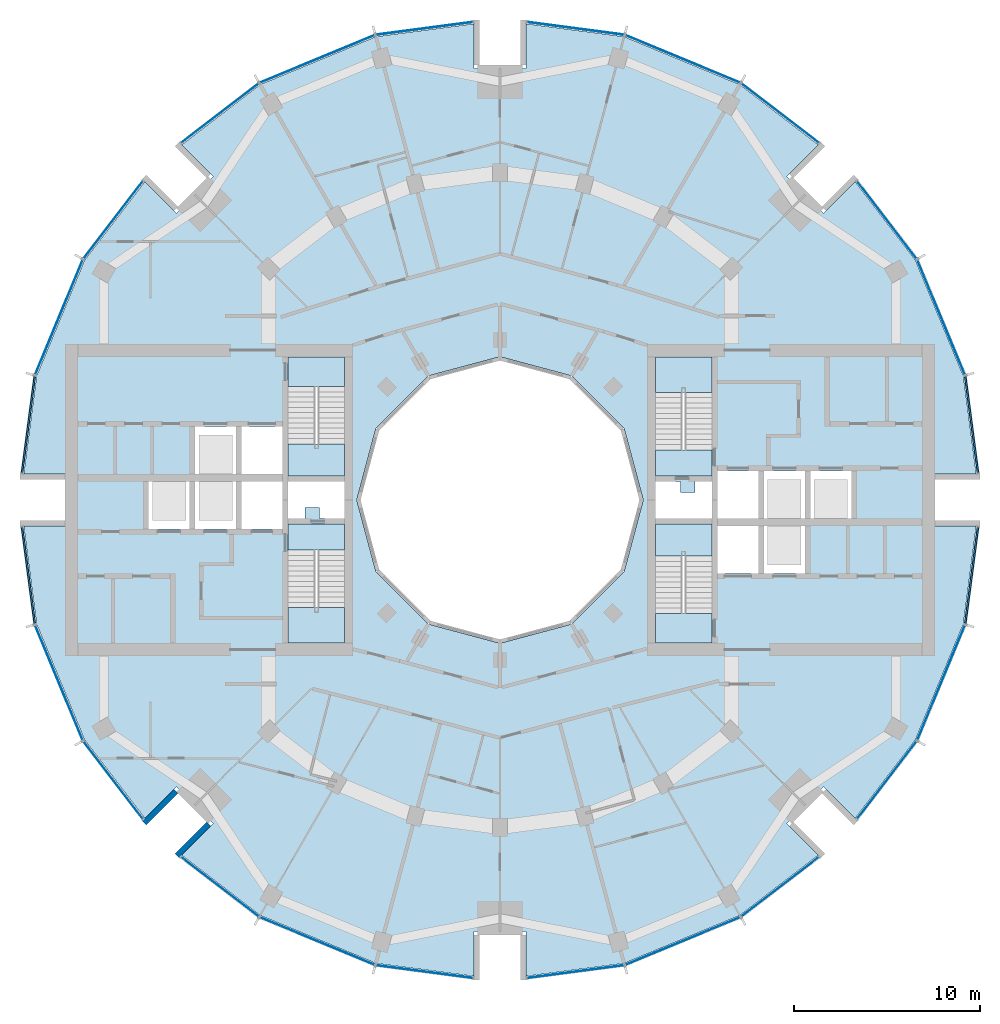
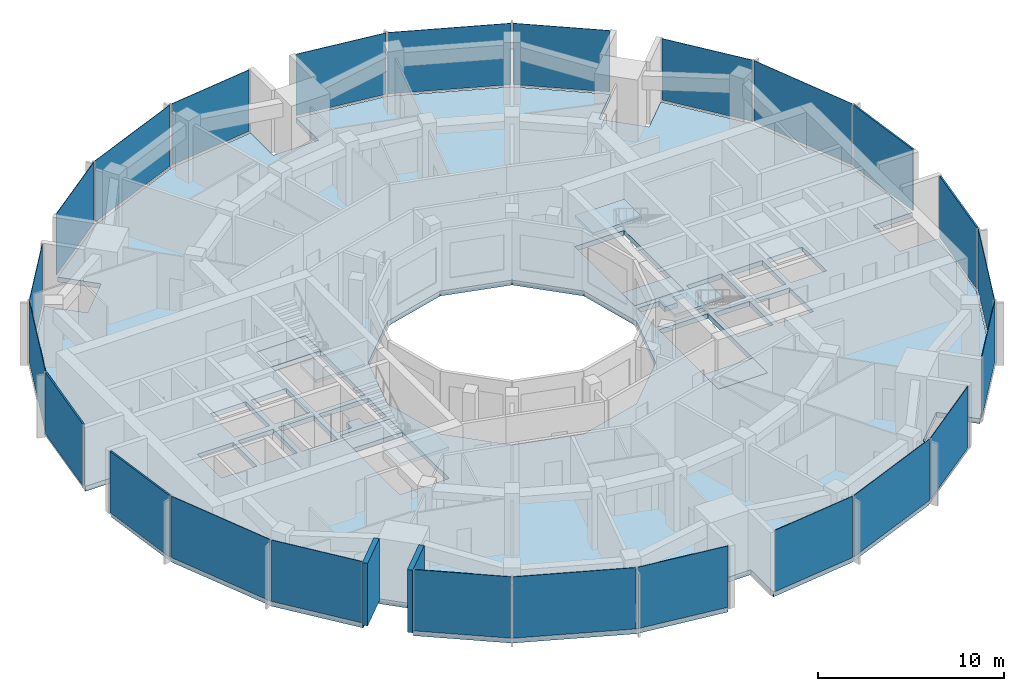
# One storey, part 7 of 15: 24 plates, 9 slabs, 2 walls, 28 elements without a shape of their own.
"""IFC4 building model written with IfcOpenShell, lengths in metres."""

from ifc_helpers import new_model, si_unit, direction, frame, frame_2d, origin, origin_2d, place, context, subcontext, project, spatial, polyline, rectangle, outline, extrude, material, layer, layer_set, type_object, element, aggregate, save


model = new_model("IFC4")

# Units and contexts
model_context = context("Model", 3, precision=1e-05, world=origin(), true_north=direction((0.0, 1.0)))
body_context = subcontext(model_context, "Body", "Model", "MODEL_VIEW")
ifc_project = project(units=[si_unit("LENGTHUNIT", "METRE"), si_unit("AREAUNIT", "SQUARE_METRE"), si_unit("VOLUMEUNIT", "CUBIC_METRE"), si_unit("PLANEANGLEUNIT", "RADIAN"), si_unit("MASSUNIT", "GRAM", prefix="KILO")], contexts=[model_context])

# Site, building, storey
site_placement = place(None, origin())
site = spatial("IfcSite", under=ifc_project, at=site_placement, CompositionType="ELEMENT")
building_placement = place(site_placement, origin())
building = spatial("IfcBuilding", under=site, at=building_placement, Name="Torre Brocal", CompositionType="ELEMENT")
storey_placement = place(building_placement, frame((0.0, 0.0, 182.300048828125)))
storey = spatial("IfcBuildingStorey", under=building, at=storey_placement, Name="L42", CompositionType="ELEMENT", Elevation=182.300048828125)

# Curtain wall, plate
ifc_material_1 = material(Name="Aluminium and glass", Category="aluminium")
ifc_layer_1 = layer(ifc_material_1, 0.199951171875)
ifc_layer_set_1 = layer_set([ifc_layer_1], Name="Aluminium and glass")
curtain_wall_type_1 = type_object("IfcCurtainWallType", Name="CW-1 CURTAIN WALL 4100 HIGH", PredefinedType="NOTDEFINED", material=ifc_layer_set_1)
curtain_wall_1_placement = place(storey_placement, origin())
curtain_wall_1 = element("IfcCurtainWall", 1, at=curtain_wall_1_placement, inside=storey, type_object=curtain_wall_type_1, Name="CW-1 RUN 2", PredefinedType="NOTDEFINED")
ifc_material_2 = material(Name="Glass, dark tinted laminated", Category="glass")
ifc_layer_2 = layer(ifc_material_2, 0.031982421875)
ifc_layer_set_2 = layer_set([ifc_layer_2], Name="Glass, dark tinted laminated")
plate_type_1 = type_object("IfcPlateType", Name="CW-1 GLASS PANEL 32", PredefinedType="CURTAIN_PANEL", material=ifc_layer_set_2)
plate_1_placement = place(storey_placement, frame((103.722900390625, 84.826416015625, 0.079833984375), z_axis=(0.0, 0.0, 1.0), x_axis=(-0.382683432333, 0.923879532525, 0.0)))
plate_1 = element("IfcPlate", 2, at=plate_1_placement, type_object=plate_type_1, Name="CW1-4 panel 1.1", PredefinedType="CURTAIN_PANEL", context=body_context, shape_type="SweptSolid", body=[
    extrude(rectangle(XDim=6.64111328125, YDim=0.031982421875, at=origin_2d()), origin(), (0.0, 0.0, 1.0), 4.02001953125),
])
aggregate(curtain_wall_1, [plate_1])

curtain_wall_2_placement = place(storey_placement, origin())
curtain_wall_2 = element("IfcCurtainWall", 3, at=curtain_wall_2_placement, inside=storey, type_object=curtain_wall_type_1, Name="CW-1 RUN 3", PredefinedType="NOTDEFINED")
plate_2_placement = place(storey_placement, frame((100.80126953125, 90.0712890625, 0.079833984375), z_axis=(0.0, 0.0, 1.0), x_axis=(-0.60876142905, 0.793353340259, 0.0)))
plate_2 = element("IfcPlate", 4, at=plate_2_placement, type_object=plate_type_1, Name="CW1-4 panel 1.1", PredefinedType="CURTAIN_PANEL", context=body_context, shape_type="SweptSolid", body=[
    extrude(rectangle(XDim=5.22900390625, YDim=0.031982421875, at=origin_2d()), origin(), (0.0, 0.0, 1.0), 4.02001953125),
])
aggregate(curtain_wall_2, [plate_2])

curtain_wall_3_placement = place(storey_placement, origin())
curtain_wall_3 = element("IfcCurtainWall", 5, at=curtain_wall_3_placement, inside=storey, type_object=curtain_wall_type_1, Name="CW-1 RUN 4", PredefinedType="NOTDEFINED")
plate_3_placement = place(storey_placement, frame((95.0712890625, 95.80126953125, 0.079833984375), z_axis=(0.0, 0.0, 1.0), x_axis=(-0.793353340259, 0.60876142905, 0.0)))
plate_3 = element("IfcPlate", 6, at=plate_3_placement, type_object=plate_type_1, Name="CW1-4 panel 1.1", PredefinedType="CURTAIN_PANEL", context=body_context, shape_type="SweptSolid", body=[
    extrude(rectangle(XDim=5.22900390625, YDim=0.031982421875, at=origin_2d()), origin(), (0.0, 0.0, 1.0), 4.02001953125),
])
aggregate(curtain_wall_3, [plate_3])

curtain_wall_4_placement = place(storey_placement, origin())
curtain_wall_4 = element("IfcCurtainWall", 7, at=curtain_wall_4_placement, inside=storey, type_object=curtain_wall_type_1, Name="CW-1 RUN 5", PredefinedType="NOTDEFINED")
plate_4_placement = place(storey_placement, frame((89.826416015625, 98.722900390625, 0.079833984375), z_axis=(0.0, 0.0, 1.0), x_axis=(-0.923879532525, 0.382683432333, 0.0)))
plate_4 = element("IfcPlate", 8, at=plate_4_placement, type_object=plate_type_1, Name="CW1-4 panel 1.1", PredefinedType="CURTAIN_PANEL", context=body_context, shape_type="SweptSolid", body=[
    extrude(rectangle(XDim=6.64111328125, YDim=0.031982421875, at=origin_2d()), origin(), (0.0, 0.0, 1.0), 4.02001953125),
])
aggregate(curtain_wall_4, [plate_4])

curtain_wall_5_placement = place(storey_placement, origin())
curtain_wall_5 = element("IfcCurtainWall", 9, at=curtain_wall_5_placement, inside=storey, type_object=curtain_wall_type_1, Name="CW-1 RUN 6", PredefinedType="NOTDEFINED")
plate_5_placement = place(storey_placement, frame((84.051513671875, 100.36572265625, 0.079833984375), z_axis=(0.0, 0.0, 1.0), x_axis=(-0.991444861374, 0.13052619222, 0.0)))
plate_5 = element("IfcPlate", 10, at=plate_5_placement, type_object=plate_type_1, Name="CW1-4 panel 1.1", PredefinedType="CURTAIN_PANEL", context=body_context, shape_type="SweptSolid", body=[
    extrude(rectangle(XDim=5.22900390625, YDim=0.031982421875, at=origin_2d()), origin(), (0.0, 0.0, 1.0), 4.02001953125),
])
aggregate(curtain_wall_5, [plate_5])

curtain_wall_6_placement = place(storey_placement, origin())
curtain_wall_6 = element("IfcCurtainWall", 11, at=curtain_wall_6_placement, inside=storey, type_object=curtain_wall_type_1, Name="CW-1 RUN 7", PredefinedType="NOTDEFINED")
plate_6_placement = place(storey_placement, frame((75.948486328125, 100.36572265625, 0.079833984375), z_axis=(0.0, 0.0, 1.0), x_axis=(-0.991444861374, -0.13052619222, 0.0)))
plate_6 = element("IfcPlate", 12, at=plate_6_placement, type_object=plate_type_1, Name="CW1-4 panel 1.1", PredefinedType="CURTAIN_PANEL", context=body_context, shape_type="SweptSolid", body=[
    extrude(rectangle(XDim=5.22900390625, YDim=0.031982421875, at=origin_2d()), origin(), (0.0, 0.0, 1.0), 4.02001953125),
])
aggregate(curtain_wall_6, [plate_6])

curtain_wall_7_placement = place(storey_placement, origin())
curtain_wall_7 = element("IfcCurtainWall", 13, at=curtain_wall_7_placement, inside=storey, type_object=curtain_wall_type_1, Name="CW-1 RUN 8", PredefinedType="NOTDEFINED")
plate_7_placement = place(storey_placement, frame((70.173583984375, 98.722900390625, 0.079833984375), z_axis=(0.0, 0.0, 1.0), x_axis=(-0.923879532525, -0.382683432333, 0.0)))
plate_7 = element("IfcPlate", 14, at=plate_7_placement, type_object=plate_type_1, Name="CW1-4 panel 1.1", PredefinedType="CURTAIN_PANEL", context=body_context, shape_type="SweptSolid", body=[
    extrude(rectangle(XDim=6.64111328125, YDim=0.031982421875, at=origin_2d()), origin(), (0.0, 0.0, 1.0), 4.02001953125),
])
aggregate(curtain_wall_7, [plate_7])

curtain_wall_8_placement = place(storey_placement, origin())
curtain_wall_8 = element("IfcCurtainWall", 15, at=curtain_wall_8_placement, inside=storey, type_object=curtain_wall_type_1, Name="CW-1 RUN 9", PredefinedType="NOTDEFINED")
plate_8_placement = place(storey_placement, frame((64.9287109375, 95.80126953125, 0.079833984375), z_axis=(0.0, 0.0, 1.0), x_axis=(-0.793353340259, -0.60876142905, 0.0)))
plate_8 = element("IfcPlate", 16, at=plate_8_placement, type_object=plate_type_1, Name="CW1-4 panel 1.1", PredefinedType="CURTAIN_PANEL", context=body_context, shape_type="SweptSolid", body=[
    extrude(rectangle(XDim=5.22900390625, YDim=0.031982421875, at=origin_2d()), origin(), (0.0, 0.0, 1.0), 4.02001953125),
])
aggregate(curtain_wall_8, [plate_8])

curtain_wall_9_placement = place(storey_placement, origin())
curtain_wall_9 = element("IfcCurtainWall", 17, at=curtain_wall_9_placement, inside=storey, type_object=curtain_wall_type_1, Name="CW-1 RUN 10", PredefinedType="NOTDEFINED")
plate_9_placement = place(storey_placement, frame((59.19873046875, 90.0712890625, 0.079833984375), z_axis=(0.0, 0.0, 1.0), x_axis=(-0.60876142905, -0.793353340259, 0.0)))
plate_9 = element("IfcPlate", 18, at=plate_9_placement, type_object=plate_type_1, Name="CW1-4 panel 1.1", PredefinedType="CURTAIN_PANEL", context=body_context, shape_type="SweptSolid", body=[
    extrude(rectangle(XDim=5.22900390625, YDim=0.031982421875, at=origin_2d()), origin(), (0.0, 0.0, 1.0), 4.02001953125),
])
aggregate(curtain_wall_9, [plate_9])

curtain_wall_10_placement = place(storey_placement, origin())
curtain_wall_10 = element("IfcCurtainWall", 19, at=curtain_wall_10_placement, inside=storey, type_object=curtain_wall_type_1, Name="CW-1 RUN 11", PredefinedType="NOTDEFINED")
plate_10_placement = place(storey_placement, frame((56.277099609375, 84.826416015625, 0.079833984375), z_axis=(0.0, 0.0, 1.0), x_axis=(-0.382683432333, -0.923879532525, 0.0)))
plate_10 = element("IfcPlate", 20, at=plate_10_placement, type_object=plate_type_1, Name="CW1-4 panel 1.1", PredefinedType="CURTAIN_PANEL", context=body_context, shape_type="SweptSolid", body=[
    extrude(rectangle(XDim=6.64111328125, YDim=0.031982421875, at=origin_2d()), origin(), (0.0, 0.0, 1.0), 4.02001953125),
])
aggregate(curtain_wall_10, [plate_10])

curtain_wall_11_placement = place(storey_placement, origin())
curtain_wall_11 = element("IfcCurtainWall", 21, at=curtain_wall_11_placement, inside=storey, type_object=curtain_wall_type_1, Name="CW-1 RUN 14", PredefinedType="NOTDEFINED")
plate_11_placement = place(storey_placement, frame((56.277099609375, 65.173583984375, 0.079833984375), z_axis=(0.0, 0.0, 1.0), x_axis=(0.382683432333, -0.923879532525, 0.0)))
plate_11 = element("IfcPlate", 22, at=plate_11_placement, type_object=plate_type_1, Name="CW1-4 panel 1.1", PredefinedType="CURTAIN_PANEL", context=body_context, shape_type="SweptSolid", body=[
    extrude(rectangle(XDim=6.64111328125, YDim=0.031982421875, at=origin_2d()), origin(), (0.0, 0.0, 1.0), 4.02001953125),
])
aggregate(curtain_wall_11, [plate_11])

curtain_wall_12_placement = place(storey_placement, origin())
curtain_wall_12 = element("IfcCurtainWall", 23, at=curtain_wall_12_placement, inside=storey, type_object=curtain_wall_type_1, Name="CW-1 RUN 15", PredefinedType="NOTDEFINED")
plate_12_placement = place(storey_placement, frame((59.19873046875, 59.9287109375, 0.079833984375), z_axis=(0.0, 0.0, 1.0), x_axis=(0.60876142905, -0.793353340259, 0.0)))
plate_12 = element("IfcPlate", 24, at=plate_12_placement, type_object=plate_type_1, Name="CW1-4 panel 1.1", PredefinedType="CURTAIN_PANEL", context=body_context, shape_type="SweptSolid", body=[
    extrude(rectangle(XDim=5.22900390625, YDim=0.031982421875, at=origin_2d()), origin(), (0.0, 0.0, 1.0), 4.02001953125),
])
aggregate(curtain_wall_12, [plate_12])

curtain_wall_13_placement = place(storey_placement, origin())
curtain_wall_13 = element("IfcCurtainWall", 25, at=curtain_wall_13_placement, inside=storey, type_object=curtain_wall_type_1, Name="CW-1 RUN 16", PredefinedType="NOTDEFINED")
plate_13_placement = place(storey_placement, frame((64.9287109375, 54.19873046875, 0.079833984375), z_axis=(0.0, 0.0, 1.0), x_axis=(0.793353340259, -0.60876142905, 0.0)))
plate_13 = element("IfcPlate", 26, at=plate_13_placement, type_object=plate_type_1, Name="CW1-4 panel 1.1", PredefinedType="CURTAIN_PANEL", context=body_context, shape_type="SweptSolid", body=[
    extrude(rectangle(XDim=5.22900390625, YDim=0.031982421875, at=origin_2d()), origin(), (0.0, 0.0, 1.0), 4.02001953125),
])
aggregate(curtain_wall_13, [plate_13])

curtain_wall_14_placement = place(storey_placement, origin())
curtain_wall_14 = element("IfcCurtainWall", 27, at=curtain_wall_14_placement, inside=storey, type_object=curtain_wall_type_1, Name="CW-1 RUN 17", PredefinedType="NOTDEFINED")
plate_14_placement = place(storey_placement, frame((70.173583984375, 51.277099609375, 0.079833984375), z_axis=(0.0, 0.0, 1.0), x_axis=(0.923879532525, -0.382683432333, 0.0)))
plate_14 = element("IfcPlate", 28, at=plate_14_placement, type_object=plate_type_1, Name="CW1-4 panel 1.1", PredefinedType="CURTAIN_PANEL", context=body_context, shape_type="SweptSolid", body=[
    extrude(rectangle(XDim=6.64111328125, YDim=0.031982421875, at=origin_2d()), origin(), (0.0, 0.0, 1.0), 4.02001953125),
])
aggregate(curtain_wall_14, [plate_14])

curtain_wall_15_placement = place(storey_placement, origin())
curtain_wall_15 = element("IfcCurtainWall", 29, at=curtain_wall_15_placement, inside=storey, type_object=curtain_wall_type_1, Name="CW-1 RUN 18", PredefinedType="NOTDEFINED")
plate_15_placement = place(storey_placement, frame((75.948486328125, 49.63427734375, 0.079833984375), z_axis=(0.0, 0.0, 1.0), x_axis=(0.991444861374, -0.13052619222, 0.0)))
plate_15 = element("IfcPlate", 30, at=plate_15_placement, type_object=plate_type_1, Name="CW1-4 panel 1.1", PredefinedType="CURTAIN_PANEL", context=body_context, shape_type="SweptSolid", body=[
    extrude(rectangle(XDim=5.22900390625, YDim=0.031982421875, at=origin_2d()), origin(), (0.0, 0.0, 1.0), 4.02001953125),
])
aggregate(curtain_wall_15, [plate_15])

curtain_wall_16_placement = place(storey_placement, origin())
curtain_wall_16 = element("IfcCurtainWall", 31, at=curtain_wall_16_placement, inside=storey, type_object=curtain_wall_type_1, Name="CW-1 RUN 19", PredefinedType="NOTDEFINED")
plate_16_placement = place(storey_placement, frame((84.051513671875, 49.63427734375, 0.079833984375), z_axis=(0.0, 0.0, 1.0), x_axis=(0.991444861374, 0.13052619222, 0.0)))
plate_16 = element("IfcPlate", 32, at=plate_16_placement, type_object=plate_type_1, Name="CW1-4 panel 1.1", PredefinedType="CURTAIN_PANEL", context=body_context, shape_type="SweptSolid", body=[
    extrude(rectangle(XDim=5.22900390625, YDim=0.031982421875, at=origin_2d()), origin(), (0.0, 0.0, 1.0), 4.02001953125),
])
aggregate(curtain_wall_16, [plate_16])

curtain_wall_17_placement = place(storey_placement, origin())
curtain_wall_17 = element("IfcCurtainWall", 33, at=curtain_wall_17_placement, inside=storey, type_object=curtain_wall_type_1, Name="CW-1 RUN 20", PredefinedType="NOTDEFINED")
plate_17_placement = place(storey_placement, frame((89.826416015625, 51.277099609375, 0.079833984375), z_axis=(0.0, 0.0, 1.0), x_axis=(0.923879532525, 0.382683432333, 0.0)))
plate_17 = element("IfcPlate", 34, at=plate_17_placement, type_object=plate_type_1, Name="CW1-4 panel 1.1", PredefinedType="CURTAIN_PANEL", context=body_context, shape_type="SweptSolid", body=[
    extrude(rectangle(XDim=6.64111328125, YDim=0.031982421875, at=origin_2d()), origin(), (0.0, 0.0, 1.0), 4.02001953125),
])
aggregate(curtain_wall_17, [plate_17])

curtain_wall_18_placement = place(storey_placement, origin())
curtain_wall_18 = element("IfcCurtainWall", 35, at=curtain_wall_18_placement, inside=storey, type_object=curtain_wall_type_1, Name="CW-1 RUN 21", PredefinedType="NOTDEFINED")
plate_18_placement = place(storey_placement, frame((95.0712890625, 54.19873046875, 0.079833984375), z_axis=(0.0, 0.0, 1.0), x_axis=(0.793353340259, 0.60876142905, 0.0)))
plate_18 = element("IfcPlate", 36, at=plate_18_placement, type_object=plate_type_1, Name="CW1-4 panel 1.1", PredefinedType="CURTAIN_PANEL", context=body_context, shape_type="SweptSolid", body=[
    extrude(rectangle(XDim=5.22900390625, YDim=0.031982421875, at=origin_2d()), origin(), (0.0, 0.0, 1.0), 4.02001953125),
])
aggregate(curtain_wall_18, [plate_18])

curtain_wall_19_placement = place(storey_placement, origin())
curtain_wall_19 = element("IfcCurtainWall", 37, at=curtain_wall_19_placement, inside=storey, type_object=curtain_wall_type_1, Name="CW-1 RUN 22", PredefinedType="NOTDEFINED")
plate_19_placement = place(storey_placement, frame((100.80126953125, 59.9287109375, 0.079833984375), z_axis=(0.0, 0.0, 1.0), x_axis=(0.60876142905, 0.793353340259, 0.0)))
plate_19 = element("IfcPlate", 38, at=plate_19_placement, type_object=plate_type_1, Name="CW1-4 panel 1.1", PredefinedType="CURTAIN_PANEL", context=body_context, shape_type="SweptSolid", body=[
    extrude(rectangle(XDim=5.22900390625, YDim=0.031982421875, at=origin_2d()), origin(), (0.0, 0.0, 1.0), 4.02001953125),
])
aggregate(curtain_wall_19, [plate_19])

curtain_wall_20_placement = place(storey_placement, origin())
curtain_wall_20 = element("IfcCurtainWall", 39, at=curtain_wall_20_placement, inside=storey, type_object=curtain_wall_type_1, Name="CW-1 RUN 23", PredefinedType="NOTDEFINED")
plate_20_placement = place(storey_placement, frame((103.722900390625, 65.173583984375, 0.079833984375), z_axis=(0.0, 0.0, 1.0), x_axis=(0.382683432333, 0.923879532525, 0.0)))
plate_20 = element("IfcPlate", 40, at=plate_20_placement, type_object=plate_type_1, Name="CW1-4 panel 1.1", PredefinedType="CURTAIN_PANEL", context=body_context, shape_type="SweptSolid", body=[
    extrude(rectangle(XDim=6.64111328125, YDim=0.031982421875, at=origin_2d()), origin(), (0.0, 0.0, 1.0), 4.02001953125),
])
aggregate(curtain_wall_20, [plate_20])

ifc_material_3 = material(Name="Aluminium and glass", Category="aluminium")
ifc_layer_3 = layer(ifc_material_3, 0.199951171875)
ifc_layer_set_3 = layer_set([ifc_layer_3], Name="Aluminium and glass")
curtain_wall_type_2 = type_object("IfcCurtainWallType", Name="CW-1B CURTAIN WALL 4100 HIGH", PredefinedType="NOTDEFINED", material=ifc_layer_set_3)
curtain_wall_21_placement = place(storey_placement, origin())
curtain_wall_21 = element("IfcCurtainWall", 41, at=curtain_wall_21_placement, inside=storey, type_object=curtain_wall_type_2, Name="CW-1B RUN 1", PredefinedType="NOTDEFINED")
ifc_material_4 = material(Name="Aluminium composite panel", Category="aluminium")
ifc_layer_4 = layer(ifc_material_4, 0.10009765625)
ifc_layer_set_4 = layer_set([ifc_layer_4], Name="Aluminium composite panel")
plate_type_2 = type_object("IfcPlateType", Name="CW-1B OPAQUE PANEL 100", PredefinedType="CURTAIN_PANEL", material=ifc_layer_set_4)
plate_21_placement = place(storey_placement, frame((105.36572265625, 79.051513671875, 0.079833984375), z_axis=(0.0, 0.0, 1.0), x_axis=(-0.13052619222, 0.991444861374, 0.0)))
plate_21 = element("IfcPlate", 42, at=plate_21_placement, type_object=plate_type_2, Name="CW1B-4 panel 1.1", PredefinedType="CURTAIN_PANEL", context=body_context, shape_type="SweptSolid", body=[
    extrude(rectangle(XDim=5.22900390625, YDim=0.10009765625, at=origin_2d()), origin(), (0.0, 0.0, 1.0), 4.02001953125),
])
aggregate(curtain_wall_21, [plate_21])

curtain_wall_22_placement = place(storey_placement, origin())
curtain_wall_22 = element("IfcCurtainWall", 43, at=curtain_wall_22_placement, inside=storey, type_object=curtain_wall_type_2, Name="CW-1B RUN 12", PredefinedType="NOTDEFINED")
plate_22_placement = place(storey_placement, frame((54.63427734375, 79.051513671875, 0.079833984375), z_axis=(0.0, 0.0, 1.0), x_axis=(-0.13052619222, -0.991444861374, 0.0)))
plate_22 = element("IfcPlate", 44, at=plate_22_placement, type_object=plate_type_2, Name="CW1B-4 panel 1.1", PredefinedType="CURTAIN_PANEL", context=body_context, shape_type="SweptSolid", body=[
    extrude(rectangle(XDim=5.22900390625, YDim=0.10009765625, at=origin_2d()), origin(), (0.0, 0.0, 1.0), 4.02001953125),
])
aggregate(curtain_wall_22, [plate_22])

curtain_wall_23_placement = place(storey_placement, origin())
curtain_wall_23 = element("IfcCurtainWall", 45, at=curtain_wall_23_placement, inside=storey, type_object=curtain_wall_type_2, Name="CW-1B RUN 13", PredefinedType="NOTDEFINED")
plate_23_placement = place(storey_placement, frame((54.63427734375, 70.948486328125, 0.079833984375), z_axis=(0.0, 0.0, 1.0), x_axis=(0.13052619222, -0.991444861374, 0.0)))
plate_23 = element("IfcPlate", 46, at=plate_23_placement, type_object=plate_type_2, Name="CW1B-4 panel 1.1", PredefinedType="CURTAIN_PANEL", context=body_context, shape_type="SweptSolid", body=[
    extrude(rectangle(XDim=5.22900390625, YDim=0.10009765625, at=origin_2d()), origin(), (0.0, 0.0, 1.0), 4.02001953125),
])
aggregate(curtain_wall_23, [plate_23])

curtain_wall_24_placement = place(storey_placement, origin())
curtain_wall_24 = element("IfcCurtainWall", 47, at=curtain_wall_24_placement, inside=storey, type_object=curtain_wall_type_2, Name="CW-1B RUN 24", PredefinedType="NOTDEFINED")
plate_24_placement = place(storey_placement, frame((105.36572265625, 70.948486328125, 0.079833984375), z_axis=(0.0, 0.0, 1.0), x_axis=(0.13052619222, 0.991444861374, 0.0)))
plate_24 = element("IfcPlate", 48, at=plate_24_placement, type_object=plate_type_2, Name="CW1B-4 panel 1.1", PredefinedType="CURTAIN_PANEL", context=body_context, shape_type="SweptSolid", body=[
    extrude(rectangle(XDim=5.22900390625, YDim=0.10009765625, at=origin_2d()), origin(), (0.0, 0.0, 1.0), 4.02001953125),
])
aggregate(curtain_wall_24, [plate_24])

# Stair, slab
ifc_material_5 = material(Name="Concrete C50", Category="concrete")
stair_type = type_object("IfcStairType", Name="EXIT STAIR", PredefinedType="HALF_TURN_STAIR", material=ifc_material_5)
stair_1_placement = place(storey_placement, origin())
stair_1 = element("IfcStair", 49, at=stair_1_placement, inside=storey, type_object=stair_type, Name="EXIT STAIR ST1", PredefinedType="HALF_TURN_STAIR")
ifc_material_6 = material(Name="Concrete C50", Category="concrete")
ifc_layer_5 = layer(ifc_material_6, 0.320068359375)
ifc_layer_set_5 = layer_set([ifc_layer_5], Name="Concrete C50")
slab_type_1 = type_object("IfcSlabType", Name="FLOOR LANDING 320", PredefinedType="LANDING", material=ifc_layer_set_5)
slab_1_placement = place(storey_placement, frame((0.0, 0.0, -0.320068359375)))
slab_1 = element("IfcSlab", 50, at=slab_1_placement, type_object=slab_type_1, Name="ST1 landing 1", PredefinedType="LANDING", context=body_context, shape_type="SweptSolid", body=[
    extrude(outline(polyline([(88.35009765625, 76.300048828125), (91.39990234375, 76.300048828125), (91.39990234375, 77.699951171875), (88.35009765625, 77.699951171875), (88.35009765625, 76.300048828125)])), origin(), (0.0, 0.0, 1.0), 0.320068359375),
])

stair_2_placement = place(storey_placement, origin())
stair_2 = element("IfcStair", 51, at=stair_2_placement, inside=storey, type_object=stair_type, Name="EXIT STAIR ST2", PredefinedType="HALF_TURN_STAIR")
slab_2_placement = place(storey_placement, frame((0.0, 0.0, -0.320068359375)))
slab_2 = element("IfcSlab", 52, at=slab_2_placement, type_object=slab_type_1, Name="ST2 landing 1", PredefinedType="LANDING", context=body_context, shape_type="SweptSolid", body=[
    extrude(outline(polyline([(88.35009765625, 67.300048828125), (91.39990234375, 67.300048828125), (91.39990234375, 68.89990234375), (88.35009765625, 68.89990234375), (88.35009765625, 67.300048828125)])), origin(), (0.0, 0.0, 1.0), 0.320068359375),
])

stair_3_placement = place(storey_placement, origin())
stair_3 = element("IfcStair", 53, at=stair_3_placement, inside=storey, type_object=stair_type, Name="EXIT STAIR ST3", PredefinedType="HALF_TURN_STAIR")
slab_3_placement = place(storey_placement, frame((0.0, 0.0, -0.320068359375)))
slab_3 = element("IfcSlab", 54, at=slab_3_placement, type_object=slab_type_1, Name="ST3 landing 1", PredefinedType="LANDING", context=body_context, shape_type="SweptSolid", body=[
    extrude(outline(polyline([(71.64990234375, 73.699951171875), (68.60009765625, 73.699951171875), (68.60009765625, 72.300048828125), (71.64990234375, 72.300048828125), (71.64990234375, 73.699951171875)])), origin(), (0.0, 0.0, 1.0), 0.320068359375),
])

stair_4_placement = place(storey_placement, origin())
stair_4 = element("IfcStair", 55, at=stair_4_placement, inside=storey, type_object=stair_type, Name="EXIT STAIR ST4", PredefinedType="HALF_TURN_STAIR")
slab_4_placement = place(storey_placement, frame((0.0, 0.0, -0.320068359375)))
slab_4 = element("IfcSlab", 56, at=slab_4_placement, type_object=slab_type_1, Name="ST4 landing 1", PredefinedType="LANDING", context=body_context, shape_type="SweptSolid", body=[
    extrude(outline(polyline([(71.64990234375, 82.699951171875), (68.60009765625, 82.699951171875), (68.60009765625, 81.10009765625), (71.64990234375, 81.10009765625), (71.64990234375, 82.699951171875)])), origin(), (0.0, 0.0, 1.0), 0.320068359375),
])

# Slab
ifc_material_7 = material(Name="Concrete C50", Category="concrete")
ifc_layer_6 = layer(ifc_material_7, 0.199951171875)
ifc_layer_set_6 = layer_set([ifc_layer_6], Name="Concrete C50")
slab_type_2 = type_object("IfcSlabType", Name="MID LANDING +2050", PredefinedType="LANDING", material=ifc_layer_set_6)
slab_5_placement = place(storey_placement, frame((0.0, 0.0, 1.849853515625)))
slab_5 = element("IfcSlab", 57, at=slab_5_placement, type_object=slab_type_2, Name="ST1 landing 2", PredefinedType="LANDING", context=body_context, shape_type="SweptSolid", body=[
    extrude(outline(polyline([(88.35009765625, 80.780029296875), (91.39990234375, 80.780029296875), (91.39990234375, 82.699951171875), (88.35009765625, 82.699951171875), (88.35009765625, 80.780029296875)])), origin(), (0.0, 0.0, 1.0), 0.2001953125),
])

aggregate(stair_1, [slab_1, slab_5])

slab_6_placement = place(storey_placement, frame((0.0, 0.0, 1.849853515625)))
slab_6 = element("IfcSlab", 58, at=slab_6_placement, type_object=slab_type_2, Name="ST2 landing 2", PredefinedType="LANDING", context=body_context, shape_type="SweptSolid", body=[
    extrude(outline(polyline([(88.35009765625, 71.97998046875), (91.39990234375, 71.97998046875), (91.39990234375, 73.699951171875), (88.35009765625, 73.699951171875), (88.35009765625, 71.97998046875)])), origin(), (0.0, 0.0, 1.0), 0.2001953125),
])

aggregate(stair_2, [slab_2, slab_6])

slab_7_placement = place(storey_placement, frame((0.0, 0.0, 1.849853515625)))
slab_7 = element("IfcSlab", 59, at=slab_7_placement, type_object=slab_type_2, Name="ST3 landing 2", PredefinedType="LANDING", context=body_context, shape_type="SweptSolid", body=[
    extrude(outline(polyline([(71.64990234375, 69.219970703125), (68.60009765625, 69.219970703125), (68.60009765625, 67.300048828125), (71.64990234375, 67.300048828125), (71.64990234375, 69.219970703125)])), origin(), (0.0, 0.0, 1.0), 0.2001953125),
])

aggregate(stair_3, [slab_3, slab_7])

slab_8_placement = place(storey_placement, frame((0.0, 0.0, 1.849853515625)))
slab_8 = element("IfcSlab", 60, at=slab_8_placement, type_object=slab_type_2, Name="ST4 landing 2", PredefinedType="LANDING", context=body_context, shape_type="SweptSolid", body=[
    extrude(outline(polyline([(71.64990234375, 78.02001953125), (68.60009765625, 78.02001953125), (68.60009765625, 76.300048828125), (71.64990234375, 76.300048828125), (71.64990234375, 78.02001953125)])), origin(), (0.0, 0.0, 1.0), 0.2001953125),
])

aggregate(stair_4, [slab_4, slab_8])

ifc_material_8 = material(Name="Concrete C45", Category="concrete")
ifc_layer_7 = layer(ifc_material_8, 0.320068359375)
ifc_layer_set_7 = layer_set([ifc_layer_7], Name="Concrete C45")
slab_type_3 = type_object("IfcSlabType", Name="PT FLOOR SLAB 320 C45", PredefinedType="FLOOR", material=ifc_layer_set_7)
slab_9_placement = place(storey_placement, frame((0.0, 0.0, -0.320068359375)))
element("IfcSlab", 61, at=slab_9_placement, inside=storey, type_object=slab_type_3, Name="Slab ST-05", PredefinedType="FLOOR", context=body_context, shape_type="SweptSolid", body=[
    extrude(outline(polyline([(103.199951171875, 76.39990234375), (103.199951171875, 73.60009765625), (105.614013671875, 73.60009765625), (104.919189453125, 68.322998046875), (102.342041015625, 62.100830078125), (99.101806640625, 57.878173828125), (97.394775390625, 59.5849609375), (95.4150390625, 57.605224609375), (97.121826171875, 55.898193359375), (92.899169921875, 52.657958984375), (86.677001953125, 50.080810546875), (81.39990234375, 49.385986328125), (81.39990234375, 51.800048828125), (78.60009765625, 51.800048828125), (78.60009765625, 49.385986328125), (73.322998046875, 50.080810546875), (67.100830078125, 52.657958984375), (62.878173828125, 55.898193359375), (64.5849609375, 57.605224609375), (62.605224609375, 59.5849609375), (60.898193359375, 57.878173828125), (57.657958984375, 62.100830078125), (55.080810546875, 68.322998046875), (54.385986328125, 73.60009765625), (56.800048828125, 73.60009765625), (56.800048828125, 76.39990234375), (54.385986328125, 76.39990234375), (55.080810546875, 81.677001953125), (57.657958984375, 87.899169921875), (60.898193359375, 92.121826171875), (62.605224609375, 90.4150390625), (64.5849609375, 92.394775390625), (62.878173828125, 94.101806640625), (67.100830078125, 97.342041015625), (73.322998046875, 99.919189453125), (78.60009765625, 100.614013671875), (78.60009765625, 98.199951171875), (81.39990234375, 98.199951171875), (81.39990234375, 100.614013671875), (86.677001953125, 99.919189453125), (92.899169921875, 97.342041015625), (97.121826171875, 94.101806640625), (95.4150390625, 92.394775390625), (97.394775390625, 90.4150390625), (99.101806640625, 92.121826171875), (102.342041015625, 87.899169921875), (104.919189453125, 81.677001953125), (105.614013671875, 76.39990234375), (103.199951171875, 76.39990234375)]), holes=[polyline([(98.89990234375, 76.550048828125), (96.699951171875, 76.550048828125), (96.699951171875, 74.0), (98.89990234375, 74.0), (98.89990234375, 76.550048828125)]), polyline([(96.39990234375, 76.550048828125), (94.199951171875, 76.550048828125), (94.199951171875, 74.0), (96.39990234375, 74.0), (96.39990234375, 76.550048828125)]), polyline([(96.39990234375, 73.60009765625), (94.199951171875, 73.60009765625), (94.199951171875, 71.050048828125), (96.39990234375, 71.050048828125), (96.39990234375, 73.60009765625)]), polyline([(93.89990234375, 76.550048828125), (91.699951171875, 76.550048828125), (91.699951171875, 74.0), (93.89990234375, 74.0), (93.89990234375, 76.550048828125)]), polyline([(93.89990234375, 73.60009765625), (91.699951171875, 73.60009765625), (91.699951171875, 71.050048828125), (93.89990234375, 71.050048828125), (93.89990234375, 73.60009765625)]), polyline([(89.699951171875, 76.0), (88.35009765625, 76.0), (88.35009765625, 74.0), (91.39990234375, 74.0), (91.39990234375, 76.0), (90.5, 76.0), (90.5, 75.39990234375), (89.699951171875, 75.39990234375), (89.699951171875, 76.0)]), polyline([(91.39990234375, 82.699951171875), (88.35009765625, 82.699951171875), (88.35009765625, 76.300048828125), (91.39990234375, 76.300048828125), (91.39990234375, 82.699951171875)]), polyline([(91.39990234375, 73.699951171875), (88.35009765625, 73.699951171875), (88.35009765625, 67.300048828125), (91.39990234375, 67.300048828125), (91.39990234375, 73.699951171875)]), polyline([(80.0, 82.70703125), (76.146484375, 81.674560546875), (73.325439453125, 78.853515625), (72.29296875, 75.0), (73.325439453125, 71.146484375), (76.146484375, 68.325439453125), (80.0, 67.29296875), (83.853515625, 68.325439453125), (86.674560546875, 71.146484375), (87.70703125, 75.0), (86.674560546875, 78.853515625), (83.853515625, 81.674560546875), (80.0, 82.70703125)]), polyline([(70.300048828125, 74.0), (71.64990234375, 74.0), (71.64990234375, 76.0), (68.60009765625, 76.0), (68.60009765625, 74.0), (69.5, 74.0), (69.5, 74.60009765625), (70.300048828125, 74.60009765625), (70.300048828125, 74.0)]), polyline([(68.60009765625, 76.300048828125), (71.64990234375, 76.300048828125), (71.64990234375, 82.699951171875), (68.60009765625, 82.699951171875), (68.60009765625, 76.300048828125)]), polyline([(68.60009765625, 67.300048828125), (71.64990234375, 67.300048828125), (71.64990234375, 73.699951171875), (68.60009765625, 73.699951171875), (68.60009765625, 67.300048828125)]), polyline([(66.10009765625, 76.39990234375), (68.300048828125, 76.39990234375), (68.300048828125, 78.949951171875), (66.10009765625, 78.949951171875), (66.10009765625, 76.39990234375)]), polyline([(66.10009765625, 73.449951171875), (68.300048828125, 73.449951171875), (68.300048828125, 76.0), (66.10009765625, 76.0), (66.10009765625, 73.449951171875)]), polyline([(63.60009765625, 76.39990234375), (65.800048828125, 76.39990234375), (65.800048828125, 78.949951171875), (63.60009765625, 78.949951171875), (63.60009765625, 76.39990234375)]), polyline([(63.60009765625, 73.449951171875), (65.800048828125, 73.449951171875), (65.800048828125, 76.0), (63.60009765625, 76.0), (63.60009765625, 73.449951171875)]), polyline([(61.10009765625, 73.449951171875), (63.300048828125, 73.449951171875), (63.300048828125, 76.0), (61.10009765625, 76.0), (61.10009765625, 73.449951171875)])]), origin(), (0.0, 0.0, 1.0), 0.320068359375),
])

# Walls
ifc_material_9 = material(Name="Concrete C70", Category="concrete")
ifc_layer_8 = layer(ifc_material_9, 0.300048828125)
ifc_layer_set_8 = layer_set([ifc_layer_8], Name="Concrete C70")
wall_type = type_object("IfcWallType", Name="NOTCH RETURN WALL 300 C70", PredefinedType="NOTDEFINED", material=ifc_layer_set_8)
for number, where, z_axis, x_axis, name in (
    (62, (62.56982421875, 59.337646484375, 0.0), (0.0, 0.0, 1.0), (-0.707106781187, -0.707106781187, 0.0), "NOTCH RETURN WALL"),
    (63, (64.337646484375, 57.56982421875, 0.0), (0.0, 0.0, 1.0), (-0.707106781187, -0.707106781187, 0.0), "NOTCH RETURN WALL"),
):
    element("IfcWall", number, at=place(storey_placement, frame(where, z_axis=z_axis, x_axis=x_axis)), inside=storey, type_object=wall_type, Name=name, PredefinedType="NOTDEFINED", context=body_context, shape_type="SweptSolid", body=[
        extrude(rectangle(XDim=2.415771484375, YDim=0.300048828125, at=frame_2d((1.2080078125, 0.0))), origin(), (0.0, 0.0, 1.0), 4.099853515625),
    ])

save(model, "model.ifc")
